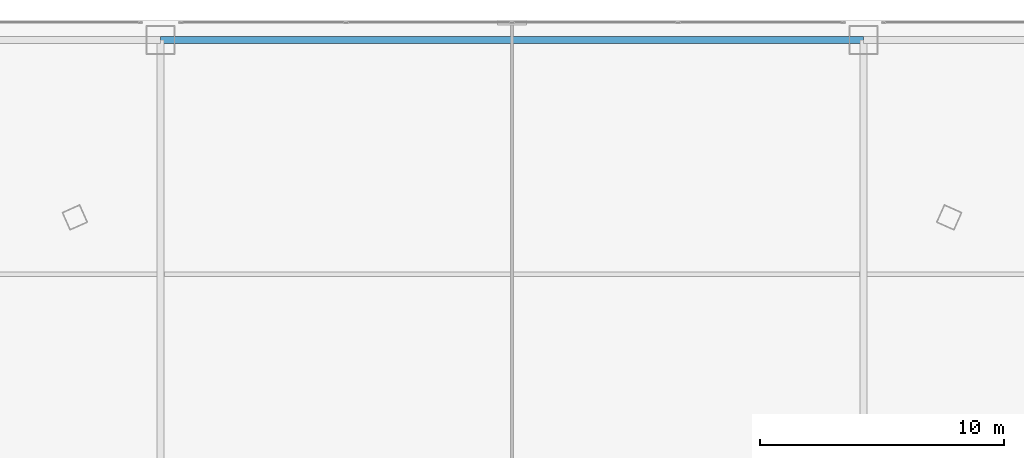
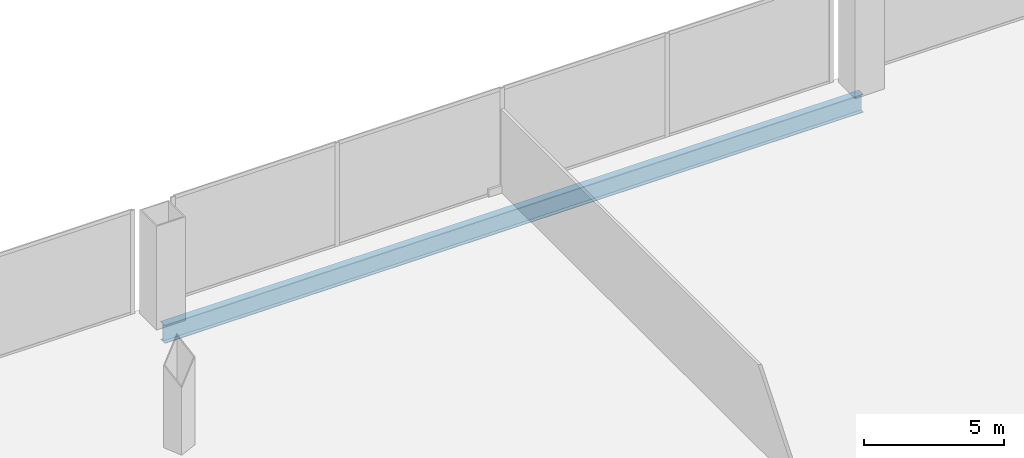
# One storey, part 23 of 40: 1 beam.
"""IFC4 building model written with IfcOpenShell, lengths in metres."""

import ifcopenshell
import ifcopenshell.guid

model = None  # the IFC model being written
_history = None  # IfcOwnerHistory: only IFC2X3 demands one
_inside = {}  # id of a spatial element -> (the spatial element, [elements in it])
_under = {}  # id of a project, library or spatial element -> (it, [spatial elements below it])
_declared = {}  # id of a project -> (the project, [libraries it declares])
_typed = {}  # id of a type object -> (the type object, [elements of that type])
_made_of = {}  # id of a material, layer set ... -> (it, [elements and type objects made of it])


def new_model(schema):
    """Start an empty IFC model of exactly this schema.

    Asked for "IFC4X3", IfcOpenShell would pick the latest addendum, in which some entities
    have other attributes; the version numbers below select the first issue.
    IFC2X3 requires an IfcOwnerHistory on every rooted entity: one is made here for all.
    """
    global model, _history
    if schema == "IFC4X3":
        model = ifcopenshell.file(schema_version=(4, 3, 0, 0))
    else:
        model = ifcopenshell.file(schema=schema)
    _inside.clear()
    _under.clear()
    _declared.clear()
    _typed.clear()
    _made_of.clear()
    _history = None
    if model.schema == "IFC2X3":
        org = make("IfcOrganization", Name="unknown")
        user = make(
            "IfcPersonAndOrganization",
            ThePerson=make("IfcPerson", FamilyName="unknown"),
            TheOrganization=org,
        )
        app = make(
            "IfcApplication",
            ApplicationDeveloper=org,
            Version="unknown",
            ApplicationFullName="unknown",
            ApplicationIdentifier="unknown",
        )
        _history = make(
            "IfcOwnerHistory",
            OwningUser=user,
            OwningApplication=app,
            ChangeAction="ADDED",
            CreationDate=0,
        )
    return model


def make(cls, **values):
    """One entity of the class cls with the attributes given. An attribute that is None is left unset."""
    return model.create_entity(
        cls, **{name: value for name, value in values.items() if value is not None}
    )


def rooted(cls, **values):
    """An entity with a GlobalId (a new one), such as an element, a storey or a relation."""
    return make(cls, GlobalId=ifcopenshell.guid.new(), OwnerHistory=_history, **values)


def si_unit(unit_type, name, prefix=None):
    """IfcSIUnit, for example si_unit("LENGTHUNIT", "METRE", prefix="MILLI")."""
    return make("IfcSIUnit", UnitType=unit_type, Prefix=prefix, Name=name)


def assignment(units):
    """IfcUnitAssignment: the units of a project."""
    return None if units is None else make("IfcUnitAssignment", Units=units)


def point(xyz):
    """IfcCartesianPoint."""
    return None if xyz is None else make("IfcCartesianPoint", Coordinates=xyz)


def direction(xyz):
    """IfcDirection."""
    return None if xyz is None else make("IfcDirection", DirectionRatios=xyz)


def frame(location, z_axis=None, x_axis=None):
    """IfcAxis2Placement3D, a coordinate frame: its origin and axes. An axis left out is left unset."""
    return make(
        "IfcAxis2Placement3D",
        Location=point(location),
        Axis=direction(z_axis),
        RefDirection=direction(x_axis),
    )


def frame_2d(location, x_axis=None):
    """IfcAxis2Placement2D, a coordinate frame in the plane: its origin and x axis."""
    return make(
        "IfcAxis2Placement2D", Location=point(location), RefDirection=direction(x_axis)
    )


def origin():
    """The frame at (0, 0, 0) with its axes left unset."""
    return frame((0.0, 0.0, 0.0))


def origin_2d():
    """The frame at (0, 0) in the plane with its x axis left unset."""
    return frame_2d((0.0, 0.0))


def place(relative_to, where):
    """IfcLocalPlacement: puts the frame where relative to a parent placement (None: the world)."""
    return make(
        "IfcLocalPlacement", PlacementRelTo=relative_to, RelativePlacement=where
    )


def context(
    kind, dimensions, precision=None, world=None, true_north=None, identifier=None
):
    """IfcGeometricRepresentationContext, for example the 3D "Model" context."""
    return make(
        "IfcGeometricRepresentationContext",
        ContextIdentifier=identifier,
        ContextType=kind,
        CoordinateSpaceDimension=dimensions,
        Precision=precision,
        WorldCoordinateSystem=world,
        TrueNorth=true_north,
    )


def subcontext(parent, identifier, kind, view, scale=None):
    """IfcGeometricRepresentationSubContext, for example "Body" below "Model"."""
    return make(
        "IfcGeometricRepresentationSubContext",
        ContextIdentifier=identifier,
        ContextType=kind,
        ParentContext=parent,
        TargetScale=scale,
        TargetView=view,
    )


def project(units=None, contexts=None):
    """IfcProject with its units and contexts."""
    return rooted(
        "IfcProject",
        Name="project",
        RepresentationContexts=contexts,
        UnitsInContext=assignment(units),
    )


def spatial(cls, under=None, at=None, **own):
    """A site, building, storey or space (cls), placed at a placement, below another one or the project."""
    s = rooted(cls, ObjectPlacement=at, **own)
    if under is not None:
        _under.setdefault(under.id(), (under, []))[1].append(s)
    return s


def profile(cls, at=None, kind="AREA", **sizes):
    """A parametric profile (cls). Its sizes go by their IFC names, for example OverallWidth=200.0."""
    return make(cls, ProfileType=kind, Position=at, **sizes)


def i_section(**sizes):
    """IfcIShapeProfileDef."""
    return profile("IfcIShapeProfileDef", **sizes)


def extrude(swept, where, along, depth):
    """IfcExtrudedAreaSolid: the profile swept, set in the frame where, extruded along a direction by depth."""
    return make(
        "IfcExtrudedAreaSolid",
        SweptArea=swept,
        Position=where,
        ExtrudedDirection=direction(along),
        Depth=depth,
    )


def shape(context_of_items, identifier, shape_type, items):
    """IfcShapeRepresentation: the items that make up one representation, for example the "Body"."""
    return make(
        "IfcShapeRepresentation",
        ContextOfItems=context_of_items,
        RepresentationIdentifier=identifier,
        RepresentationType=shape_type,
        Items=items,
    )


def source(mapping_origin, context_of_items, identifier, shape_type, items):
    """IfcRepresentationMap: a shape defined once, which mapped items show again and again."""
    return make(
        "IfcRepresentationMap",
        MappingOrigin=mapping_origin,
        MappedRepresentation=shape(context_of_items, identifier, shape_type, items),
    )


def transform(
    local_origin,
    x_axis=None,
    y_axis=None,
    z_axis=None,
    scale=None,
    scale2=None,
    scale3=None,
    uniform=True,
):
    """IfcCartesianTransformationOperator3D, or its non-uniform kind. x_axis, y_axis, z_axis: its Axis1, 2, 3."""
    if uniform:
        return make(
            "IfcCartesianTransformationOperator3D",
            Axis1=direction(x_axis),
            Axis2=direction(y_axis),
            LocalOrigin=point(local_origin),
            Scale=scale,
            Axis3=direction(z_axis),
        )
    return make(
        "IfcCartesianTransformationOperator3DnonUniform",
        Axis1=direction(x_axis),
        Axis2=direction(y_axis),
        LocalOrigin=point(local_origin),
        Scale=scale,
        Axis3=direction(z_axis),
        Scale2=scale2,
        Scale3=scale3,
    )


def mapped(mapping_source, mapping_target):
    """IfcMappedItem: shows the shape of a source again, moved by a transform."""
    return make(
        "IfcMappedItem", MappingSource=mapping_source, MappingTarget=mapping_target
    )


def material(Name=None, Category=None):
    """IfcMaterial."""
    return make("IfcMaterial", Name=Name, Category=Category)


def material_profile(
    of_material, cross_section, Name=None, Category=None, Priority=None
):
    """IfcMaterialProfile: a cross section and its material."""
    return make(
        "IfcMaterialProfile",
        Name=Name,
        Material=of_material,
        Profile=cross_section,
        Priority=Priority,
        Category=Category,
    )


def profile_set(profiles, Name=None, composite=None):
    """IfcMaterialProfileSet."""
    return make(
        "IfcMaterialProfileSet",
        Name=Name,
        MaterialProfiles=profiles,
        CompositeProfile=composite,
    )


def made_of(thing, what):
    """Note that an element or type object is made of a material, layer set ...; save() writes the relation."""
    if what is not None:
        _made_of.setdefault(what.id(), (what, []))[1].append(thing)
    return thing


def type_object(cls, material=None, **own):
    """A type object (cls), such as IfcWallType, which elements share."""
    return made_of(rooted(cls, **own), material)


def element(
    cls,
    number,
    at=None,
    inside=None,
    cuts=None,
    type_object=None,
    material=None,
    context=None,
    identifier="Body",
    shape_type=None,
    held_by="IfcProductDefinitionShape",
    body=None,
    shapes=None,
    **own,
):
    """One element of the class cls, such as IfcWall. Its Tag is "e" and its number.

    at: its placement. inside: the storey or other place that contains it. cuts: it is an
    opening in that element (IfcRelVoidsElement). A single representation is given by context,
    identifier, shape_type and body (its items); several are given by shapes. held_by: the class
    of the entity that holds the representations. save() writes the other relations.
    """
    e = rooted(cls, Tag="e%d" % number, ObjectPlacement=at, **own)
    if body is not None:
        shapes = [shape(context, identifier, shape_type, body)]
    if shapes is not None:
        e.Representation = make(held_by, Representations=shapes)
    if inside is not None:
        _inside.setdefault(inside.id(), (inside, []))[1].append(e)
    if cuts is not None:
        rooted(
            "IfcRelVoidsElement", RelatingBuildingElement=cuts, RelatedOpeningElement=e
        )
    if type_object is not None:
        _typed.setdefault(type_object.id(), (type_object, []))[1].append(e)
    return made_of(e, material)


def aggregate(whole, parts):
    """IfcRelAggregates: a whole, such as a stair, and the parts it consists of."""
    return rooted("IfcRelAggregates", RelatingObject=whole, RelatedObjects=parts)


def save(model, path):
    """Write the relations noted so far, then the file.

    IfcRelAggregates (storeys below a building ...), IfcRelContainedInSpatialStructure (elements
    in a storey), IfcRelDefinesByType, IfcRelAssociatesMaterial and IfcRelDeclares: one each for
    every whole, place, type object, material and project.
    """
    for whole, parts in _under.values():
        aggregate(whole, parts)
    for where, things in _inside.values():
        rooted(
            "IfcRelContainedInSpatialStructure",
            RelatedElements=things,
            RelatingStructure=where,
        )
    for kind, things in _typed.values():
        rooted("IfcRelDefinesByType", RelatedObjects=things, RelatingType=kind)
    for what, things in _made_of.values():
        rooted("IfcRelAssociatesMaterial", RelatedObjects=things, RelatingMaterial=what)
    for by, libraries in _declared.values():
        rooted("IfcRelDeclares", RelatingContext=by, RelatedDefinitions=libraries)
    model.write(path)


model = new_model("IFC4")

# Units and contexts
model_context = context("Model", 3, precision=1e-05, world=origin(), true_north=direction((0.0, 1.0)))
body_context = subcontext(model_context, "Body", "Model", "MODEL_VIEW")
ifc_project = project(units=[si_unit("LENGTHUNIT", "METRE"), si_unit("AREAUNIT", "SQUARE_METRE"), si_unit("VOLUMEUNIT", "CUBIC_METRE"), si_unit("PLANEANGLEUNIT", "RADIAN"), si_unit("MASSUNIT", "GRAM", prefix="KILO"), si_unit("THERMODYNAMICTEMPERATUREUNIT", "KELVIN"), si_unit("POWERUNIT", "WATT")], contexts=[model_context])

# Site, building, storey
site_placement = place(None, origin())
site = spatial("IfcSite", under=ifc_project, at=site_placement, CompositionType="ELEMENT")
building_placement = place(site_placement, origin())
building = spatial("IfcBuilding", under=site, at=building_placement, Name="Yunzhuo Pagoda Commons", CompositionType="ELEMENT")
storey_placement = place(building_placement, frame((0.0, 0.0, 14.39990234375)))
storey = spatial("IfcBuildingStorey", under=building, at=storey_placement, Name="L04", CompositionType="ELEMENT", Elevation=14.39990234375)

# Beam
ifc_material = material(Name="Structural steel Q355B", Category="steel")
ifc_material_profile = material_profile(ifc_material, i_section(OverallWidth=0.300048828125, OverallDepth=0.800048828125, WebThickness=0.013916015625, FlangeThickness=0.02587890625, at=origin_2d()), Name="Structural steel Q355B")
ifc_profile_set = profile_set([ifc_material_profile], Name="Structural steel Q355B")
beam_type = type_object("IfcBeamType", Name="B-PD2 Beam HN 800x300x14x26", PredefinedType="BEAM", material=ifc_profile_set)
shared_shape = source(origin(), body_context, "Body", "SweptSolid", [
    extrude(i_section(OverallWidth=0.300048828125, OverallDepth=0.800048828125, WebThickness=0.013916015625, FlangeThickness=0.02587890625, at=origin_2d()), origin(), (0.0, 0.0, 1.0), 28.7998046875),
])
beam_placement = place(storey_placement, frame((33.60009765625, 81.199951171875, -0.679931640625), z_axis=(1.0, 0.0, 0.0), x_axis=(0.0, 1.0, 0.0)))
element("IfcBeam", 1, at=beam_placement, inside=storey, type_object=beam_type, Name="L04 podium girder EW 5.3", PredefinedType="BEAM", context=body_context, shape_type="MappedRepresentation", body=[
    mapped(shared_shape, transform((0.0, 0.0, 0.0), scale=1.0)),
])

save(model, "model.ifc")
